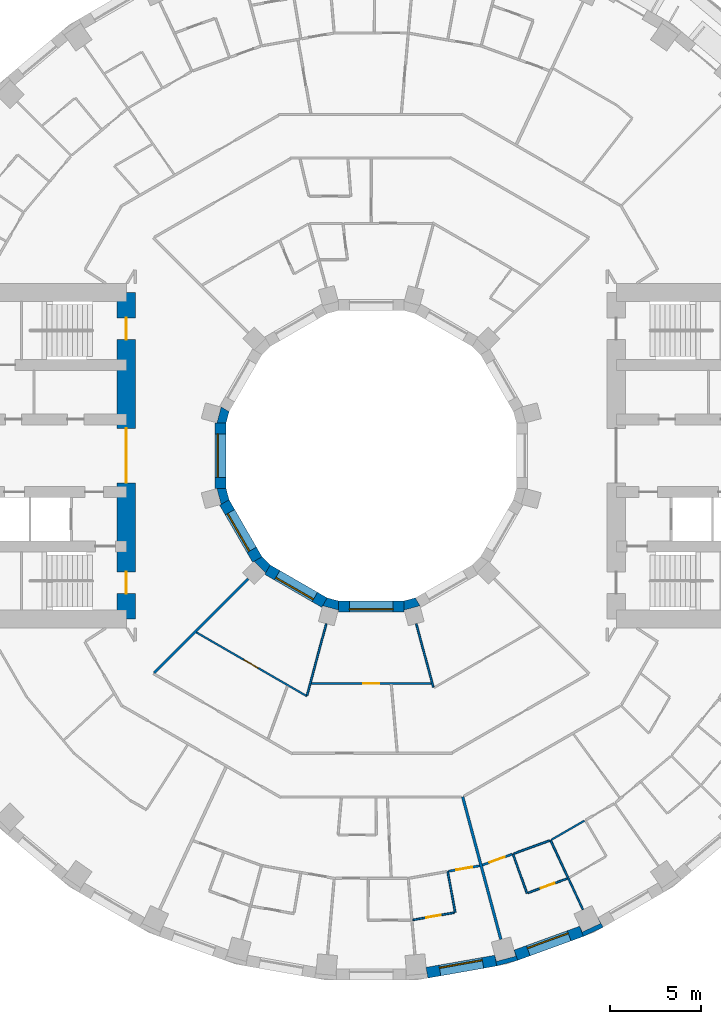
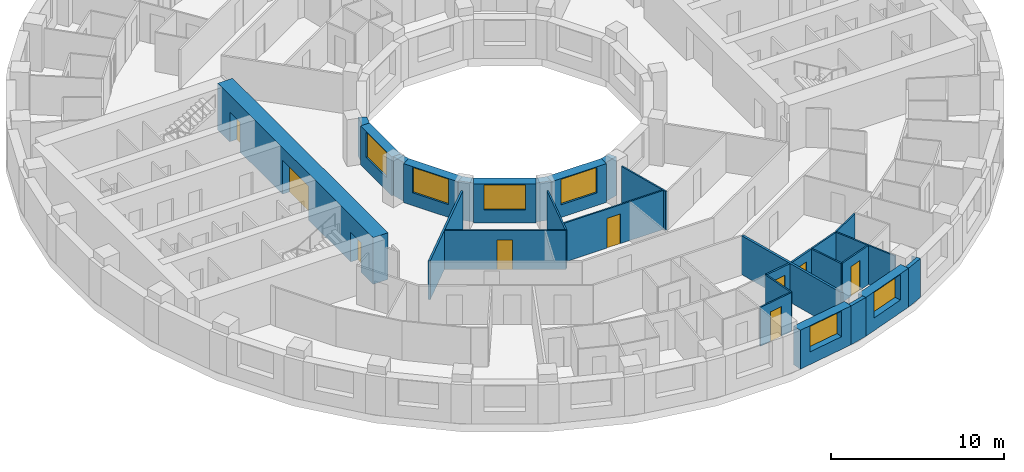
# One storey, part 6 of 15: 29 walls, 9 doors, 6 windows, 15 openings.
"""IFC4 building model written with IfcOpenShell, lengths in metres."""

from ifc_helpers import new_model, si_unit, direction, frame, frame_2d, origin, place, context, subcontext, project, spatial, polyline, rectangle, outline, extrude, material, layer, layer_set, type_object, element, fill, save


model = new_model("IFC4")

# Units and contexts
model_context = context("Model", 3, precision=1e-05, world=origin(), true_north=direction((0.0, 1.0)))
body_context = subcontext(model_context, "Body", "Model", "MODEL_VIEW")
ifc_project = project(units=[si_unit("LENGTHUNIT", "METRE"), si_unit("AREAUNIT", "SQUARE_METRE"), si_unit("VOLUMEUNIT", "CUBIC_METRE"), si_unit("PLANEANGLEUNIT", "RADIAN"), si_unit("MASSUNIT", "GRAM", prefix="KILO")], contexts=[model_context])

# Site, building, storey
site_placement = place(None, origin())
site = spatial("IfcSite", under=ifc_project, at=site_placement, CompositionType="ELEMENT")
building_placement = place(site_placement, origin())
building = spatial("IfcBuilding", under=site, at=building_placement, Name="Saqina Gate Tower", CompositionType="ELEMENT")
storey_placement = place(building_placement, frame((0.0, 0.0, 65.89990234375)))
storey = spatial("IfcBuildingStorey", under=building, at=storey_placement, Name="L18", CompositionType="ELEMENT", Elevation=65.89990234375)

# Walls
ifc_material_1 = material(Name="Brick masonry (red)", Category="masonry")
wall_type_1 = type_object("IfcWallType", Name="BRICK PIER COPING RED", PredefinedType="SOLIDWALL", material=ifc_material_1)
wall_1_placement = place(storey_placement, origin())
element("IfcWall", 1, at=wall_1_placement, inside=storey, type_object=wall_type_1, Name="Pier cap L18 column 29", PredefinedType="SOLIDWALL", context=body_context, shape_type="SweptSolid", body=[
    extrude(outline(polyline([(6.910400390625, -28.11669921875), (8.073974609375, -27.80517578125), (7.86865234375, -27.2412109375), (7.95947265625, -27.57958984375), (6.896728515625, -27.864501953125), (6.80615234375, -27.52587890625), (6.910400390625, -28.11669921875)])), origin(), (0.0, 0.0, 1.0), 2.75),
])
wall_2_placement = place(storey_placement, origin())
element("IfcWall", 2, at=wall_2_placement, inside=storey, type_object=wall_type_1, Name="Pier cap L18 column 30", PredefinedType="SOLIDWALL", context=body_context, shape_type="SweptSolid", body=[
    extrude(outline(polyline([(12.779541015625, -25.980712890625), (12.4794921875, -25.4609375), (12.627685546875, -25.778564453125), (11.630615234375, -26.243408203125), (11.482666015625, -25.92578125), (11.687744140625, -26.48974609375), (12.779541015625, -25.980712890625)])), origin(), (0.0, 0.0, 1.0), 2.75),
])

# Wall, opening, window
ifc_material_2 = material(Name="Brick masonry (red)", Category="masonry")
ifc_layer_1 = layer(ifc_material_2, 0.60009765625)
ifc_layer_set_1 = layer_set([ifc_layer_1], Name="FW-BRICK-RED")
wall_type_2 = type_object("IfcWallType", Name="FW-BRICK-RED", PredefinedType="SOLIDWALL", material=ifc_layer_set_1)
wall_3_placement = place(storey_placement, frame((3.07080078125, -28.4892578125, 0.0), z_axis=(0.0, 0.0, 1.0), x_axis=(0.984800809218, 0.173687553279, 0.0)))
wall_3 = element("IfcWall", 3, at=wall_3_placement, inside=storey, type_object=wall_type_2, Name="Facade wall L18 facet 28", PredefinedType="SOLIDWALL", context=body_context, shape_type="SweptSolid", body=[
    extrude(rectangle(XDim=3.845703125, YDim=0.60009765625, at=frame_2d((1.9228515625, 0.0))), origin(), (0.0, 0.0, 1.0), 2.75),
])
opening_1_placement = place(wall_3_placement, frame((0.722900390625, 0.0, 0.89990234375)))
opening_1 = element("IfcOpeningElement", 4, at=opening_1_placement, cuts=wall_3, Name="Opening G05-W17", PredefinedType="OPENING", context=body_context, shape_type="SweptSolid", body=[
    extrude(rectangle(XDim=2.39990234375, YDim=1.800048828125, at=frame_2d((1.199951171875, 0.89990234375))), frame((0.0, 0.31201171875, 0.0), z_axis=(0.0, -1.0, 0.0), x_axis=(1.0, 0.0, 0.0)), (0.0, 0.0, 1.0), 0.6240234375),
])
ifc_material_3 = material(Name="Aluminium glazing", Category="aluminium")
window_type_1 = type_object("IfcWindowType", Name="WN-A", PartitioningType="SINGLE_PANEL", PredefinedType="WINDOW", material=ifc_material_3)
window_1_placement = place(opening_1_placement, origin())
window_1 = element("IfcWindow", 5, at=window_1_placement, inside=storey, type_object=window_type_1, Name="Window L18 facet 28", OverallHeight=1.800048828125, OverallWidth=2.39990234375, PartitioningType="SINGLE_PANEL", PredefinedType="WINDOW", context=body_context, shape_type="SweptSolid", body=[
    extrude(rectangle(XDim=2.39990234375, YDim=1.800048828125, at=frame_2d((1.199951171875, 0.89990234375))), frame((0.0, 0.179931640625, 0.0), z_axis=(0.0, -1.0, 0.0), x_axis=(1.0, 0.0, 0.0)), (0.0, 0.0, 1.0), 0.06005859375),
])
fill(opening_1, window_1)

wall_4_placement = place(storey_placement, frame((7.97119140625, -27.523193359375, 0.0), z_axis=(0.0, 0.0, 1.0), x_axis=(0.939689588564, 0.342028474173, 0.0)))
wall_4 = element("IfcWall", 6, at=wall_4_placement, inside=storey, type_object=wall_type_2, Name="Facade wall L18 facet 29", PredefinedType="SOLIDWALL", context=body_context, shape_type="SweptSolid", body=[
    extrude(rectangle(XDim=3.845947265625, YDim=0.60009765625, at=frame_2d((1.9228515625, 0.0))), origin(), (0.0, 0.0, 1.0), 2.75),
])
opening_2_placement = place(wall_4_placement, frame((0.722900390625, 0.0, 0.89990234375)))
opening_2 = element("IfcOpeningElement", 7, at=opening_2_placement, cuts=wall_4, Name="Opening G05-W18", PredefinedType="OPENING", context=body_context, shape_type="SweptSolid", body=[
    extrude(rectangle(XDim=2.39990234375, YDim=1.800048828125, at=frame_2d((1.199951171875, 0.89990234375))), frame((0.0, 0.31201171875, 0.0), z_axis=(0.0, -1.0, 0.0), x_axis=(1.0, 0.0, 0.0)), (0.0, 0.0, 1.0), 0.6240234375),
])
window_2_placement = place(opening_2_placement, origin())
window_2 = element("IfcWindow", 8, at=window_2_placement, inside=storey, type_object=window_type_1, Name="Window L18 facet 29", OverallHeight=1.800048828125, OverallWidth=2.39990234375, PartitioningType="SINGLE_PANEL", PredefinedType="WINDOW", context=body_context, shape_type="SweptSolid", body=[
    extrude(rectangle(XDim=2.39990234375, YDim=1.800048828125, at=frame_2d((1.199951171875, 0.89990234375))), frame((0.0, 0.179931640625, 0.0), z_axis=(0.0, -1.0, 0.0), x_axis=(1.0, 0.0, 0.0)), (0.0, 0.0, 1.0), 0.06005859375),
])
fill(opening_2, window_2)

ifc_material_4 = material(Name="Glazed ceramic tile", Category="ceramic")
ifc_layer_2 = layer(ifc_material_4, 0.60009765625)
ifc_layer_set_2 = layer_set([ifc_layer_2], Name="IW-TILE")
wall_type_3 = type_object("IfcWallType", Name="IW-TILE", PredefinedType="SOLIDWALL", material=ifc_layer_set_2)
wall_5_placement = place(storey_placement, frame((-8.300048828125, 1.8125, 0.0), z_axis=(0.0, 0.0, 1.0), x_axis=(0.0, -1.0, 0.0)))
wall_5 = element("IfcWall", 9, at=wall_5_placement, inside=storey, type_object=wall_type_3, Name="Well wall L18 facet 6", PredefinedType="SOLIDWALL", context=body_context, shape_type="SweptSolid", body=[
    extrude(rectangle(XDim=3.625, YDim=0.60009765625, at=frame_2d((1.8125, 0.0))), origin(), (0.0, 0.0, 1.0), 2.75),
])
opening_3_placement = place(wall_5_placement, frame((0.612548828125, 0.0, 0.89990234375)))
opening_3 = element("IfcOpeningElement", 10, at=opening_3_placement, cuts=wall_5, Name="Opening G05-W28", PredefinedType="OPENING", context=body_context, shape_type="SweptSolid", body=[
    extrude(rectangle(XDim=2.39990234375, YDim=1.800048828125, at=frame_2d((1.199951171875, 0.89990234375))), frame((0.0, 0.31201171875, 0.0), z_axis=(0.0, -1.0, 0.0), x_axis=(1.0, 0.0, 0.0)), (0.0, 0.0, 1.0), 0.6240234375),
])
ifc_material_5 = material(Name="Aluminium glazing", Category="aluminium")
window_type_2 = type_object("IfcWindowType", Name="WN-W", PartitioningType="SINGLE_PANEL", PredefinedType="WINDOW", material=ifc_material_5)
window_3_placement = place(opening_3_placement, origin())
window_3 = element("IfcWindow", 11, at=window_3_placement, inside=storey, type_object=window_type_2, Name="Well window L18 facet 6", OverallHeight=1.800048828125, OverallWidth=2.39990234375, PartitioningType="SINGLE_PANEL", PredefinedType="WINDOW", context=body_context, shape_type="SweptSolid", body=[
    extrude(rectangle(XDim=2.39990234375, YDim=1.800048828125, at=frame_2d((1.199951171875, 0.89990234375))), frame((0.0, -0.119873046875, 0.0), z_axis=(0.0, -1.0, 0.0), x_axis=(1.0, 0.0, 0.0)), (0.0, 0.0, 1.0), 0.06005859375),
])
fill(opening_3, window_3)

wall_6_placement = place(storey_placement, frame((-8.09423828125, -2.580322265625, 0.0), z_axis=(0.0, 0.0, 1.0), x_axis=(0.499992569217, -0.866029693906, 0.0)))
wall_6 = element("IfcWall", 12, at=wall_6_placement, inside=storey, type_object=wall_type_3, Name="Well wall L18 facet 7", PredefinedType="SOLIDWALL", context=body_context, shape_type="SweptSolid", body=[
    extrude(rectangle(XDim=3.625, YDim=0.60009765625, at=frame_2d((1.8125, 0.0))), origin(), (0.0, 0.0, 1.0), 2.75),
])
opening_4_placement = place(wall_6_placement, frame((0.612548828125, 0.0, 0.89990234375)))
opening_4 = element("IfcOpeningElement", 13, at=opening_4_placement, cuts=wall_6, Name="Opening G05-W29", PredefinedType="OPENING", context=body_context, shape_type="SweptSolid", body=[
    extrude(rectangle(XDim=2.39990234375, YDim=1.800048828125, at=frame_2d((1.199951171875, 0.89990234375))), frame((0.0, 0.31201171875, 0.0), z_axis=(0.0, -1.0, 0.0), x_axis=(1.0, 0.0, 0.0)), (0.0, 0.0, 1.0), 0.6240234375),
])
window_4_placement = place(opening_4_placement, origin())
window_4 = element("IfcWindow", 14, at=window_4_placement, inside=storey, type_object=window_type_2, Name="Well window L18 facet 7", OverallHeight=1.800048828125, OverallWidth=2.39990234375, PartitioningType="SINGLE_PANEL", PredefinedType="WINDOW", context=body_context, shape_type="SweptSolid", body=[
    extrude(rectangle(XDim=2.39990234375, YDim=1.800048828125, at=frame_2d((1.199951171875, 0.89990234375))), frame((0.0, -0.119873046875, 0.0), z_axis=(0.0, -1.0, 0.0), x_axis=(1.0, 0.0, 0.0)), (0.0, 0.0, 1.0), 0.06005859375),
])
fill(opening_4, window_4)

wall_7_placement = place(storey_placement, frame((-5.7197265625, -6.28173828125, 0.0), z_axis=(0.0, 0.0, 1.0), x_axis=(0.866029693906, -0.499992569217, 0.0)))
wall_7 = element("IfcWall", 15, at=wall_7_placement, inside=storey, type_object=wall_type_3, Name="Well wall L18 facet 8", PredefinedType="SOLIDWALL", context=body_context, shape_type="SweptSolid", body=[
    extrude(rectangle(XDim=3.625, YDim=0.60009765625, at=frame_2d((1.8125, 0.0))), origin(), (0.0, 0.0, 1.0), 2.75),
])
opening_5_placement = place(wall_7_placement, frame((0.612548828125, 0.0, 0.89990234375)))
opening_5 = element("IfcOpeningElement", 16, at=opening_5_placement, cuts=wall_7, Name="Opening G05-W30", PredefinedType="OPENING", context=body_context, shape_type="SweptSolid", body=[
    extrude(rectangle(XDim=2.39990234375, YDim=1.800048828125, at=frame_2d((1.199951171875, 0.89990234375))), frame((0.0, 0.31201171875, 0.0), z_axis=(0.0, -1.0, 0.0), x_axis=(1.0, 0.0, 0.0)), (0.0, 0.0, 1.0), 0.6240234375),
])
window_5_placement = place(opening_5_placement, origin())
window_5 = element("IfcWindow", 17, at=window_5_placement, inside=storey, type_object=window_type_2, Name="Well window L18 facet 8", OverallHeight=1.800048828125, OverallWidth=2.39990234375, PartitioningType="SINGLE_PANEL", PredefinedType="WINDOW", context=body_context, shape_type="SweptSolid", body=[
    extrude(rectangle(XDim=2.39990234375, YDim=1.800048828125, at=frame_2d((1.199951171875, 0.89990234375))), frame((0.0, -0.119873046875, 0.0), z_axis=(0.0, -1.0, 0.0), x_axis=(1.0, 0.0, 0.0)), (0.0, 0.0, 1.0), 0.06005859375),
])
fill(opening_5, window_5)

wall_8_placement = place(storey_placement, frame((-1.8125, -8.300048828125, 0.0), z_axis=(0.0, 0.0, 1.0), x_axis=(1.0, 0.0, 0.0)))
wall_8 = element("IfcWall", 18, at=wall_8_placement, inside=storey, type_object=wall_type_3, Name="Well wall L18 facet 9", PredefinedType="SOLIDWALL", context=body_context, shape_type="SweptSolid", body=[
    extrude(rectangle(XDim=3.625, YDim=0.60009765625, at=frame_2d((1.8125, 0.0))), origin(), (0.0, 0.0, 1.0), 2.75),
])
opening_6_placement = place(wall_8_placement, frame((0.612548828125, 0.0, 0.89990234375)))
opening_6 = element("IfcOpeningElement", 19, at=opening_6_placement, cuts=wall_8, Name="Opening G05-W31", PredefinedType="OPENING", context=body_context, shape_type="SweptSolid", body=[
    extrude(rectangle(XDim=2.39990234375, YDim=1.800048828125, at=frame_2d((1.199951171875, 0.89990234375))), frame((0.0, 0.31201171875, 0.0), z_axis=(0.0, -1.0, 0.0), x_axis=(1.0, 0.0, 0.0)), (0.0, 0.0, 1.0), 0.6240234375),
])
window_6_placement = place(opening_6_placement, origin())
window_6 = element("IfcWindow", 20, at=window_6_placement, inside=storey, type_object=window_type_2, Name="Well window L18 facet 9", OverallHeight=1.800048828125, OverallWidth=2.39990234375, PartitioningType="SINGLE_PANEL", PredefinedType="WINDOW", context=body_context, shape_type="SweptSolid", body=[
    extrude(rectangle(XDim=2.39990234375, YDim=1.800048828125, at=frame_2d((1.199951171875, 0.89990234375))), frame((0.0, -0.119873046875, 0.0), z_axis=(0.0, -1.0, 0.0), x_axis=(1.0, 0.0, 0.0)), (0.0, 0.0, 1.0), 0.06005859375),
])
fill(opening_6, window_6)

# Walls
ifc_material_6 = material(Name="Gypsum board on steel studs, 100 mm", Category="steel")
ifc_layer_3 = layer(ifc_material_6, 0.10009765625)
ifc_layer_set_3 = layer_set([ifc_layer_3], Name="PARTITION 100")
wall_type_4 = type_object("IfcWallType", Name="PARTITION 100", PredefinedType="PARTITIONING", material=ifc_layer_set_3)
wall_9_placement = place(storey_placement, frame((4.208984375, -22.906982421875, 0.0), z_axis=(0.0, 0.0, 1.0), x_axis=(0.180884135875, -0.983504412491, 0.0)))
element("IfcWall", 21, at=wall_9_placement, inside=storey, type_object=wall_type_4, Name="PARTITION PW3-10", PredefinedType="PARTITIONING", context=body_context, shape_type="SweptSolid", body=[
    extrude(rectangle(XDim=2.2998046875, YDim=0.10009765625, at=frame_2d((1.14990234375, 0.0))), origin(), (0.0, 0.0, 1.0), 2.75),
])
wall_10_placement = place(storey_placement, frame((2.48291015625, -9.265380859375, 0.0), z_axis=(0.0, 0.0, 1.0), x_axis=(0.258862308746, -0.965914232792, 0.0)))
element("IfcWall", 22, at=wall_10_placement, inside=storey, type_object=wall_type_4, Name="PARTITION PW3-14", PredefinedType="PARTITIONING", context=body_context, shape_type="SweptSolid", body=[
    extrude(rectangle(XDim=3.609375, YDim=0.10009765625, at=frame_2d((1.8046875, 0.0))), origin(), (0.0, 0.0, 1.0), 2.75),
])
wall_11_placement = place(storey_placement, frame((7.80810546875, -21.94189453125, 0.0), z_axis=(0.0, 0.0, 1.0), x_axis=(0.335206501266, -0.942144681835, 0.0)))
element("IfcWall", 23, at=wall_11_placement, inside=storey, type_object=wall_type_4, Name="PARTITION PW3-16", PredefinedType="PARTITIONING", context=body_context, shape_type="SweptSolid", body=[
    extrude(rectangle(XDim=2.300048828125, YDim=0.10009765625, at=frame_2d((1.14990234375, 0.0))), origin(), (0.0, 0.0, 1.0), 2.75),
])
wall_12_placement = place(storey_placement, frame((9.8798828125, -21.18798828125, 0.0), z_axis=(0.0, 0.0, 1.0), x_axis=(0.422631582156, -0.906301575506, 0.0)))
element("IfcWall", 24, at=wall_12_placement, inside=storey, type_object=wall_type_4, Name="PARTITION PW3-20", PredefinedType="PARTITIONING", context=body_context, shape_type="SweptSolid", body=[
    extrude(rectangle(XDim=4.211669921875, YDim=0.10009765625, at=frame_2d((2.10595703125, 0.0))), origin(), (0.0, 0.0, 1.0), 2.75),
])

# Wall, opening, door
wall_13_placement = place(storey_placement, frame((-9.645751953125, -9.731201171875, 0.0), z_axis=(0.0, 0.0, 1.0), x_axis=(0.866059669785, -0.49994064485, 0.0)))
wall_13 = element("IfcWall", 25, at=wall_13_placement, inside=storey, type_object=wall_type_4, Name="PARTITION PW3-44", PredefinedType="PARTITIONING", context=body_context, shape_type="SweptSolid", body=[
    extrude(rectangle(XDim=7.038330078125, YDim=0.10009765625, at=frame_2d((3.51904296875, 0.0))), origin(), (0.0, 0.0, 1.0), 2.75),
])
opening_7_placement = place(wall_13_placement, frame((3.0380859375, 0.0, 0.0)))
opening_7 = element("IfcOpeningElement", 26, at=opening_7_placement, cuts=wall_13, Name="Opening G05-D39", PredefinedType="OPENING", context=body_context, shape_type="SweptSolid", body=[
    extrude(rectangle(XDim=0.89990234375, YDim=2.10009765625, at=frame_2d((0.449951171875, 1.050048828125))), frame((0.0, 0.06201171875, 0.0), z_axis=(0.0, -1.0, 0.0), x_axis=(1.0, 0.0, 0.0)), (0.0, 0.0, 1.0), 0.1240234375),
])
ifc_material_7 = material(Name="Timber door leaf, 900 mm", Category="wood")
door_type_1 = type_object("IfcDoorType", Name="DOOR 900 TIMBER", OperationType="SINGLE_SWING_LEFT", PredefinedType="DOOR", material=ifc_material_7)
door_1_placement = place(opening_7_placement, origin())
door_1 = element("IfcDoor", 27, at=door_1_placement, inside=storey, type_object=door_type_1, Name="DOOR G05-D39", OperationType="SINGLE_SWING_LEFT", OverallHeight=2.10009765625, OverallWidth=0.89990234375, PredefinedType="DOOR", context=body_context, shape_type="SweptSolid", body=[
    extrude(rectangle(XDim=0.89990234375, YDim=2.10009765625, at=frame_2d((0.449951171875, 1.050048828125))), frame((0.0, 0.02490234375, 0.0), z_axis=(0.0, -1.0, 0.0), x_axis=(1.0, 0.0, 0.0)), (0.0, 0.0, 1.0), 0.050048828125),
])
fill(opening_7, door_1)

wall_14_placement = place(storey_placement, frame((-3.3125, -12.550048828125, 0.0), z_axis=(0.0, 0.0, 1.0), x_axis=(1.0, 0.0, 0.0)))
wall_14 = element("IfcWall", 28, at=wall_14_placement, inside=storey, type_object=wall_type_4, Name="PARTITION PW3-61", PredefinedType="PARTITIONING", context=body_context, shape_type="SweptSolid", body=[
    extrude(rectangle(XDim=6.62548828125, YDim=0.10009765625, at=frame_2d((3.312744140625, 0.0))), origin(), (0.0, 0.0, 1.0), 2.75),
])
opening_8_placement = place(wall_14_placement, frame((2.862548828125, 0.0, 0.0)))
opening_8 = element("IfcOpeningElement", 29, at=opening_8_placement, cuts=wall_14, Name="Opening G05-D49", PredefinedType="OPENING", context=body_context, shape_type="SweptSolid", body=[
    extrude(rectangle(XDim=0.89990234375, YDim=2.10009765625, at=frame_2d((0.449951171875, 1.050048828125))), frame((0.0, 0.06201171875, 0.0), z_axis=(0.0, -1.0, 0.0), x_axis=(1.0, 0.0, 0.0)), (0.0, 0.0, 1.0), 0.1240234375),
])
door_2_placement = place(opening_8_placement, frame((0.89990234375, 0.0, 0.0), z_axis=(0.0, 0.0, 1.0), x_axis=(-1.0, 0.0, 0.0)))
door_2 = element("IfcDoor", 30, at=door_2_placement, inside=storey, type_object=door_type_1, Name="DOOR G05-D49", OperationType="SINGLE_SWING_RIGHT", OverallHeight=2.10009765625, OverallWidth=0.89990234375, PredefinedType="DOOR", context=body_context, shape_type="SweptSolid", body=[
    extrude(rectangle(XDim=0.89990234375, YDim=2.10009765625, at=frame_2d((0.449951171875, 1.050048828125))), frame((0.0, 0.02490234375, 0.0), z_axis=(0.0, -1.0, 0.0), x_axis=(1.0, 0.0, 0.0)), (0.0, 0.0, 1.0), 0.050048828125),
])
fill(opening_8, door_2)

wall_15_placement = place(storey_placement, frame((2.288330078125, -25.581298828125, 0.0), z_axis=(0.0, 0.0, 1.0), x_axis=(0.984789907179, 0.173749356022, 0.0)))
wall_15 = element("IfcWall", 31, at=wall_15_placement, inside=storey, type_object=wall_type_4, Name="PARTITION PW3-67", PredefinedType="PARTITIONING", context=body_context, shape_type="SweptSolid", body=[
    extrude(rectangle(XDim=2.32275390625, YDim=0.10009765625, at=frame_2d((1.161376953125, 0.0))), origin(), (0.0, 0.0, 1.0), 2.75),
])
opening_9_placement = place(wall_15_placement, frame((0.761474609375, 0.0, 0.0)))
opening_9 = element("IfcOpeningElement", 32, at=opening_9_placement, cuts=wall_15, Name="Opening G05-D52", PredefinedType="OPENING", context=body_context, shape_type="SweptSolid", body=[
    extrude(rectangle(XDim=0.800048828125, YDim=2.10009765625, at=frame_2d((0.39990234375, 1.050048828125))), frame((0.0, 0.06201171875, 0.0), z_axis=(0.0, -1.0, 0.0), x_axis=(1.0, 0.0, 0.0)), (0.0, 0.0, 1.0), 0.1240234375),
])
ifc_material_8 = material(Name="Timber door leaf, 800 mm", Category="wood")
door_type_2 = type_object("IfcDoorType", Name="DOOR 800 TIMBER", OperationType="SINGLE_SWING_LEFT", PredefinedType="DOOR", material=ifc_material_8)
door_3_placement = place(opening_9_placement, frame((0.800048828125, 0.0, 0.0), z_axis=(0.0, 0.0, 1.0), x_axis=(-1.0, 0.0, 0.0)))
door_3 = element("IfcDoor", 33, at=door_3_placement, inside=storey, type_object=door_type_2, Name="DOOR G05-D52", OperationType="SINGLE_SWING_RIGHT", OverallHeight=2.10009765625, OverallWidth=0.800048828125, PredefinedType="DOOR", context=body_context, shape_type="SweptSolid", body=[
    extrude(rectangle(XDim=0.800048828125, YDim=2.10009765625, at=frame_2d((0.39990234375, 1.050048828125))), frame((0.0, 0.02490234375, 0.0), z_axis=(0.0, -1.0, 0.0), x_axis=(1.0, 0.0, 0.0)), (0.0, 0.0, 1.0), 0.050048828125),
])
fill(opening_9, door_3)

wall_16_placement = place(storey_placement, frame((8.6259765625, -24.091796875, 0.0), z_axis=(0.0, 0.0, 1.0), x_axis=(0.939814902169, 0.341683990936, 0.0)))
wall_16 = element("IfcWall", 34, at=wall_16_placement, inside=storey, type_object=wall_type_4, Name="PARTITION PW3-71", PredefinedType="PARTITIONING", context=body_context, shape_type="SweptSolid", body=[
    extrude(rectangle(XDim=2.322998046875, YDim=0.10009765625, at=frame_2d((1.16162109375, 0.0))), origin(), (0.0, 0.0, 1.0), 2.75),
])
opening_10_placement = place(wall_16_placement, frame((0.761474609375, 0.0, 0.0)))
opening_10 = element("IfcOpeningElement", 35, at=opening_10_placement, cuts=wall_16, Name="Opening G05-D55", PredefinedType="OPENING", context=body_context, shape_type="SweptSolid", body=[
    extrude(rectangle(XDim=0.800048828125, YDim=2.10009765625, at=frame_2d((0.39990234375, 1.050048828125))), frame((0.0, 0.06201171875, 0.0), z_axis=(0.0, -1.0, 0.0), x_axis=(1.0, 0.0, 0.0)), (0.0, 0.0, 1.0), 0.1240234375),
])
door_4_placement = place(opening_10_placement, frame((0.800048828125, 0.0, 0.0), z_axis=(0.0, 0.0, 1.0), x_axis=(-1.0, 0.0, 0.0)))
door_4 = element("IfcDoor", 36, at=door_4_placement, inside=storey, type_object=door_type_2, Name="DOOR G05-D55", OperationType="SINGLE_SWING_RIGHT", OverallHeight=2.10009765625, OverallWidth=0.800048828125, PredefinedType="DOOR", context=body_context, shape_type="SweptSolid", body=[
    extrude(rectangle(XDim=0.800048828125, YDim=2.10009765625, at=frame_2d((0.39990234375, 1.050048828125))), frame((0.0, 0.02490234375, 0.0), z_axis=(0.0, -1.0, 0.0), x_axis=(1.0, 0.0, 0.0)), (0.0, 0.0, 1.0), 0.050048828125),
])
fill(opening_10, door_4)

# Walls
for number, where, z_axis, x_axis, name in (
    (37, (7.85498046875, -21.9248046875, 0.0), (0.0, 0.0, 1.0), (0.939725675468, 0.341929312674, 0.0), "PARTITION PW3-72"),
    (38, (9.92333984375, -21.1630859375, 0.0), (0.0, 0.0, 1.0), (0.866158552195, 0.499769309241, 0.0), "PARTITION PW3-76"),
):
    element("IfcWall", number, at=place(storey_placement, frame(where, z_axis=z_axis, x_axis=x_axis)), inside=storey, type_object=wall_type_4, Name=name, PredefinedType="PARTITIONING", context=body_context, shape_type="SweptSolid", body=[
        extrude(rectangle(XDim=2.10498046875, YDim=0.10009765625, at=frame_2d((1.052490234375, 0.0))), origin(), (0.0, 0.0, 1.0), 2.75),
    ])
wall_17_placement = place(storey_placement, frame((-3.537109375, -13.20166015625, 0.0), z_axis=(0.0, 0.0, 1.0), x_axis=(0.258810949593, 0.965927995438, 0.0)))
element("IfcWall", 39, at=wall_17_placement, inside=storey, type_object=wall_type_4, Name="PARTITION PW3-106", PredefinedType="PARTITIONING", context=body_context, shape_type="SweptSolid", body=[
    extrude(rectangle(XDim=4.0751953125, YDim=0.10009765625, at=frame_2d((2.03759765625, 0.0))), origin(), (0.0, 0.0, 1.0), 2.75),
])

# Wall, opening, door
ifc_material_9 = material(Name="Gypsum board on steel studs, 125 mm, fire rated", Category="steel")
ifc_layer_4 = layer(ifc_material_9, 0.125)
ifc_layer_set_4 = layer_set([ifc_layer_4], Name="PARTITION EI 30 125")
wall_type_5 = type_object("IfcWallType", Name="PARTITION EI 30 125", PredefinedType="PARTITIONING", material=ifc_layer_set_4)
wall_18_placement = place(storey_placement, frame((4.25830078125, -22.898193359375, 0.0), z_axis=(0.0, 0.0, 1.0), x_axis=(0.984792007097, 0.173737453525, 0.0)))
wall_18 = element("IfcWall", 40, at=wall_18_placement, inside=storey, type_object=wall_type_5, Name="PARTITION PW1-27", PredefinedType="PARTITIONING", context=body_context, shape_type="SweptSolid", body=[
    extrude(rectangle(XDim=1.745361328125, YDim=0.125, at=frame_2d((0.87255859375, 0.0))), origin(), (0.0, 0.0, 1.0), 2.75),
])
opening_11_placement = place(wall_18_placement, frame((0.435302734375, 0.0, 0.0)))
opening_11 = element("IfcOpeningElement", 41, at=opening_11_placement, cuts=wall_18, Name="Opening G05-D53", PredefinedType="OPENING", context=body_context, shape_type="SweptSolid", body=[
    extrude(rectangle(XDim=0.89990234375, YDim=2.10009765625, at=frame_2d((0.449951171875, 1.050048828125))), frame((0.0, 0.074462890625, 0.0), z_axis=(0.0, -1.0, 0.0), x_axis=(1.0, 0.0, 0.0)), (0.0, 0.0, 1.0), 0.14892578125),
])
ifc_material_10 = material(Name="Fire door leaf EI 30, 900 mm")
door_type_3 = type_object("IfcDoorType", Name="DOOR 900 EI 30", OperationType="SINGLE_SWING_LEFT", PredefinedType="DOOR", material=ifc_material_10)
door_5_placement = place(opening_11_placement, origin())
door_5 = element("IfcDoor", 42, at=door_5_placement, inside=storey, type_object=door_type_3, Name="DOOR G05-D53", OperationType="SINGLE_SWING_RIGHT", OverallHeight=2.10009765625, OverallWidth=0.89990234375, PredefinedType="DOOR", context=body_context, shape_type="SweptSolid", body=[
    extrude(rectangle(XDim=0.89990234375, YDim=2.10009765625, at=frame_2d((0.449951171875, 1.050048828125))), frame((0.0, 0.02490234375, 0.0), z_axis=(0.0, -1.0, 0.0), x_axis=(1.0, 0.0, 0.0)), (0.0, 0.0, 1.0), 0.050048828125),
])
fill(opening_11, door_5)

wall_19_placement = place(storey_placement, frame((6.12158203125, -22.556396484375, 0.0), z_axis=(0.0, 0.0, 1.0), x_axis=(0.939605351125, 0.342259819635, 0.0)))
wall_19 = element("IfcWall", 43, at=wall_19_placement, inside=storey, type_object=wall_type_5, Name="PARTITION PW1-29", PredefinedType="PARTITIONING", context=body_context, shape_type="SweptSolid", body=[
    extrude(rectangle(XDim=1.744873046875, YDim=0.125, at=frame_2d((0.87255859375, 0.0))), origin(), (0.0, 0.0, 1.0), 2.75),
])
opening_12_placement = place(wall_19_placement, frame((0.409912109375, 0.0, 0.0)))
opening_12 = element("IfcOpeningElement", 44, at=opening_12_placement, cuts=wall_19, Name="Opening G05-D54", PredefinedType="OPENING", context=body_context, shape_type="SweptSolid", body=[
    extrude(rectangle(XDim=0.89990234375, YDim=2.10009765625, at=frame_2d((0.449951171875, 1.050048828125))), frame((0.0, 0.074462890625, 0.0), z_axis=(0.0, -1.0, 0.0), x_axis=(1.0, 0.0, 0.0)), (0.0, 0.0, 1.0), 0.14892578125),
])
door_6_placement = place(opening_12_placement, origin())
door_6 = element("IfcDoor", 45, at=door_6_placement, inside=storey, type_object=door_type_3, Name="DOOR G05-D54", OperationType="SINGLE_SWING_LEFT", OverallHeight=2.10009765625, OverallWidth=0.89990234375, PredefinedType="DOOR", context=body_context, shape_type="SweptSolid", body=[
    extrude(rectangle(XDim=0.89990234375, YDim=2.10009765625, at=frame_2d((0.449951171875, 1.050048828125))), frame((0.0, 0.02490234375, 0.0), z_axis=(0.0, -1.0, 0.0), x_axis=(1.0, 0.0, 0.0)), (0.0, 0.0, 1.0), 0.050048828125),
])
fill(opening_12, door_6)

# Walls
wall_20_placement = place(storey_placement, frame((-11.9619140625, -11.9619140625, 0.0), z_axis=(0.0, 0.0, 1.0), x_axis=(0.707106781187, 0.707106781187, 0.0)))
element("IfcWall", 46, at=wall_20_placement, inside=storey, type_object=wall_type_5, Name="PARTITION PW1-42", PredefinedType="PARTITIONING", context=body_context, shape_type="SweptSolid", body=[
    extrude(rectangle(XDim=7.324462890625, YDim=0.125, at=frame_2d((3.662109375, 0.0))), origin(), (0.0, 0.0, 1.0), 2.75),
])
ifc_material_11 = material(Name="Gypsum board on steel studs, 150 mm, fire rated", Category="steel")
ifc_layer_5 = layer(ifc_material_11, 0.14990234375)
ifc_layer_set_5 = layer_set([ifc_layer_5], Name="PARTITION EI 60 150")
wall_type_6 = type_object("IfcWallType", Name="PARTITION EI 60 150", PredefinedType="PARTITIONING", material=ifc_layer_set_5)
wall_21_placement = place(storey_placement, frame((5.037109375, -18.800048828125, 0.0), z_axis=(0.0, 0.0, 1.0), x_axis=(0.258808663505, -0.96592860797, 0.0)))
element("IfcWall", 47, at=wall_21_placement, inside=storey, type_object=wall_type_6, Name="PARTITION PW2-01", PredefinedType="PARTITIONING", context=body_context, shape_type="SweptSolid", body=[
    extrude(rectangle(XDim=8.126708984375, YDim=0.14990234375, at=frame_2d((4.0634765625, 0.0))), origin(), (0.0, 0.0, 1.0), 2.75),
])

# Wall, openings, doors
ifc_material_12 = material(Name="Concrete C70/85", Category="concrete")
ifc_layer_6 = layer(ifc_material_12, 1.0)
ifc_layer_set_6 = layer_set([ifc_layer_6], Name="Concrete C70/85")
wall_type_7 = type_object("IfcWallType", Name="STR-CORE WALL-A-O", PredefinedType="SHEAR", material=ifc_layer_set_6)
wall_22_placement = place(storey_placement, frame((-13.5, -9.0, 0.0), z_axis=(0.0, 0.0, 1.0), x_axis=(0.0, 1.0, 0.0)))
wall_22 = element("IfcWall", 48, at=wall_22_placement, inside=storey, type_object=wall_type_7, Name="CORE WALL L18 W-W1", PredefinedType="SHEAR", context=body_context, shape_type="SweptSolid", body=[
    extrude(rectangle(XDim=18.0, YDim=1.0, at=frame_2d((9.0, 0.0))), origin(), (0.0, 0.0, 1.0), 3.300048828125),
])
opening_13_placement = place(wall_22_placement, frame((15.39990234375, 0.0, 0.0)))
opening_13 = element("IfcOpeningElement", 49, at=opening_13_placement, cuts=wall_22, Name="Opening G05-D119", PredefinedType="OPENING", context=body_context, shape_type="SweptSolid", body=[
    extrude(rectangle(XDim=1.199951171875, YDim=2.10009765625, at=frame_2d((0.60009765625, 1.050048828125))), frame((0.0, 0.511962890625, 0.0), z_axis=(0.0, -1.0, 0.0), x_axis=(1.0, 0.0, 0.0)), (0.0, 0.0, 1.0), 1.02392578125),
])
opening_14_placement = place(wall_22_placement, frame((1.39990234375, 0.0, 0.0)))
opening_14 = element("IfcOpeningElement", 50, at=opening_14_placement, cuts=wall_22, Name="Opening G05-D120", PredefinedType="OPENING", context=body_context, shape_type="SweptSolid", body=[
    extrude(rectangle(XDim=1.199951171875, YDim=2.10009765625, at=frame_2d((0.60009765625, 1.050048828125))), frame((0.0, 0.511962890625, 0.0), z_axis=(0.0, -1.0, 0.0), x_axis=(1.0, 0.0, 0.0)), (0.0, 0.0, 1.0), 1.02392578125),
])
opening_15_placement = place(wall_22_placement, frame((7.5, 0.0, 0.0)))
opening_15 = element("IfcOpeningElement", 51, at=opening_15_placement, cuts=wall_22, Name="Opening G05-D121", PredefinedType="OPENING", context=body_context, shape_type="SweptSolid", body=[
    extrude(rectangle(XDim=3.0, YDim=2.39990234375, at=frame_2d((1.5, 1.199951171875))), frame((0.0, 0.511962890625, 0.0), z_axis=(0.0, -1.0, 0.0), x_axis=(1.0, 0.0, 0.0)), (0.0, 0.0, 1.0), 1.02392578125),
])
ifc_material_13 = material(Name="Steel", Category="steel")
door_type_4 = type_object("IfcDoorType", Name="FIRE DOOR EI 60", OperationType="SINGLE_SWING_LEFT", PredefinedType="DOOR", material=ifc_material_13)
door_7_placement = place(opening_13_placement, origin())
door_7 = element("IfcDoor", 52, at=door_7_placement, inside=storey, type_object=door_type_4, Name="L18-CD-W30", OperationType="SINGLE_SWING_RIGHT", OverallHeight=2.10009765625, OverallWidth=1.199951171875, PredefinedType="DOOR", context=body_context, shape_type="SweptSolid", body=[
    extrude(rectangle(XDim=1.199951171875, YDim=2.10009765625, at=frame_2d((0.60009765625, 1.050048828125))), frame((0.0, 0.02490234375, 0.0), z_axis=(0.0, -1.0, 0.0), x_axis=(1.0, 0.0, 0.0)), (0.0, 0.0, 1.0), 0.050048828125),
])
fill(opening_13, door_7)
door_8_placement = place(opening_14_placement, origin())
door_8 = element("IfcDoor", 53, at=door_8_placement, inside=storey, type_object=door_type_4, Name="L18-CD-W31", OperationType="SINGLE_SWING_LEFT", OverallHeight=2.10009765625, OverallWidth=1.199951171875, PredefinedType="DOOR", context=body_context, shape_type="SweptSolid", body=[
    extrude(rectangle(XDim=1.199951171875, YDim=2.10009765625, at=frame_2d((0.60009765625, 1.050048828125))), frame((0.0, 0.02490234375, 0.0), z_axis=(0.0, -1.0, 0.0), x_axis=(1.0, 0.0, 0.0)), (0.0, 0.0, 1.0), 0.050048828125),
])
fill(opening_14, door_8)
ifc_material_14 = material(Name="Steel and fire-resisting glass", Category="steel")
door_type_5 = type_object("IfcDoorType", Name="LOBBY SCREEN DOOR", OperationType="DOUBLE_DOOR_SLIDING", PredefinedType="DOOR", material=ifc_material_14)
door_9_placement = place(opening_15_placement, origin())
door_9 = element("IfcDoor", 54, at=door_9_placement, inside=storey, type_object=door_type_5, Name="L18-CD-W32", OperationType="DOUBLE_DOOR_SLIDING", OverallHeight=2.39990234375, OverallWidth=3.0, PredefinedType="DOOR", context=body_context, shape_type="SweptSolid", body=[
    extrude(rectangle(XDim=3.0, YDim=2.39990234375, at=frame_2d((1.5, 1.199951171875))), frame((0.0, 0.02490234375, 0.0), z_axis=(0.0, -1.0, 0.0), x_axis=(1.0, 0.0, 0.0)), (0.0, 0.0, 1.0), 0.050048828125),
])
fill(opening_15, door_9)

# Walls
ifc_material_15 = material(Name="Glazed ceramic tile", Category="ceramic")
wall_type_8 = type_object("IfcWallType", Name="TILE PIER COPING", PredefinedType="SOLIDWALL", material=ifc_material_15)
wall_23_placement = place(storey_placement, origin())
element("IfcWall", 55, at=wall_23_placement, inside=storey, type_object=wall_type_8, Name="Well pier cap L18 column 6", PredefinedType="SOLIDWALL", context=body_context, shape_type="SweptSolid", body=[
    extrude(outline(polyline([(-8.502685546875, 1.8125), (-8.0, 1.8125), (-7.83447265625, 2.430419921875), (-8.27001953125, 2.681884765625), (-8.502685546875, 1.8125)])), origin(), (0.0, 0.0, 1.0), 2.75),
])
wall_24_placement = place(storey_placement, origin())
element("IfcWall", 56, at=wall_24_placement, inside=storey, type_object=wall_type_8, Name="Well pier cap L18 column 7", PredefinedType="SOLIDWALL", context=body_context, shape_type="SweptSolid", body=[
    extrude(outline(polyline([(-8.27001953125, -2.681884765625), (-7.83447265625, -2.430419921875), (-8.0, -1.8125), (-8.502685546875, -1.8125), (-8.27001953125, -2.681884765625)])), origin(), (0.0, 0.0, 1.0), 2.75),
])
wall_25_placement = place(storey_placement, origin())
element("IfcWall", 57, at=wall_25_placement, inside=storey, type_object=wall_type_8, Name="Well pier cap L18 column 8", PredefinedType="SOLIDWALL", context=body_context, shape_type="SweptSolid", body=[
    extrude(outline(polyline([(-6.45751953125, -5.821044921875), (-5.821044921875, -6.45751953125), (-5.569580078125, -6.02197265625), (-6.02197265625, -5.569580078125), (-6.45751953125, -5.821044921875)])), origin(), (0.0, 0.0, 1.0), 2.75),
])
wall_26_placement = place(storey_placement, origin())
element("IfcWall", 58, at=wall_26_placement, inside=storey, type_object=wall_type_8, Name="Well pier cap L18 column 9", PredefinedType="SOLIDWALL", context=body_context, shape_type="SweptSolid", body=[
    extrude(outline(polyline([(-1.8125, -8.502685546875), (-1.8125, -8.0), (-2.430419921875, -7.83447265625), (-2.681884765625, -8.27001953125), (-1.8125, -8.502685546875)])), origin(), (0.0, 0.0, 1.0), 2.75),
])
wall_27_placement = place(storey_placement, origin())
element("IfcWall", 59, at=wall_27_placement, inside=storey, type_object=wall_type_8, Name="Well pier cap L18 column 10", PredefinedType="SOLIDWALL", context=body_context, shape_type="SweptSolid", body=[
    extrude(outline(polyline([(2.681884765625, -8.27001953125), (2.430419921875, -7.83447265625), (1.8125, -8.0), (1.8125, -8.502685546875), (2.681884765625, -8.27001953125)])), origin(), (0.0, 0.0, 1.0), 2.75),
])

save(model, "model.ifc")
